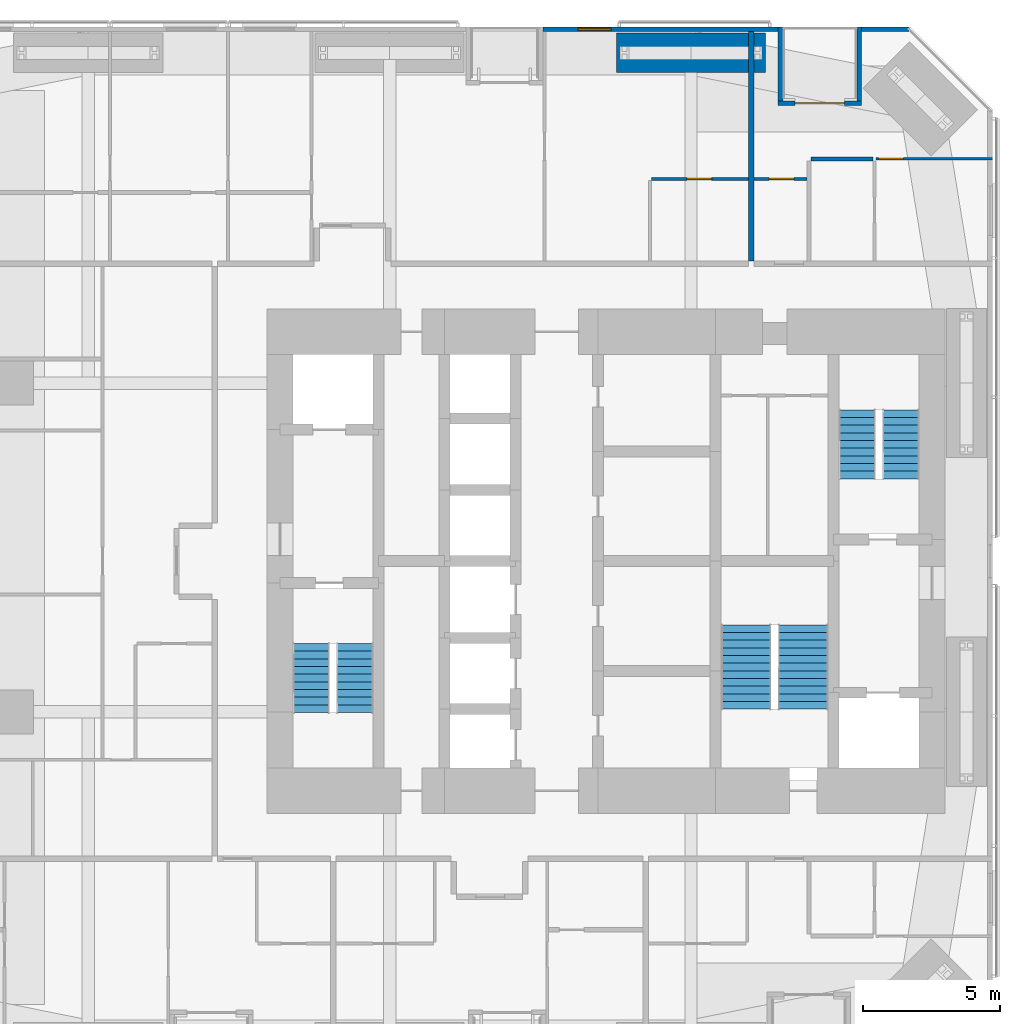
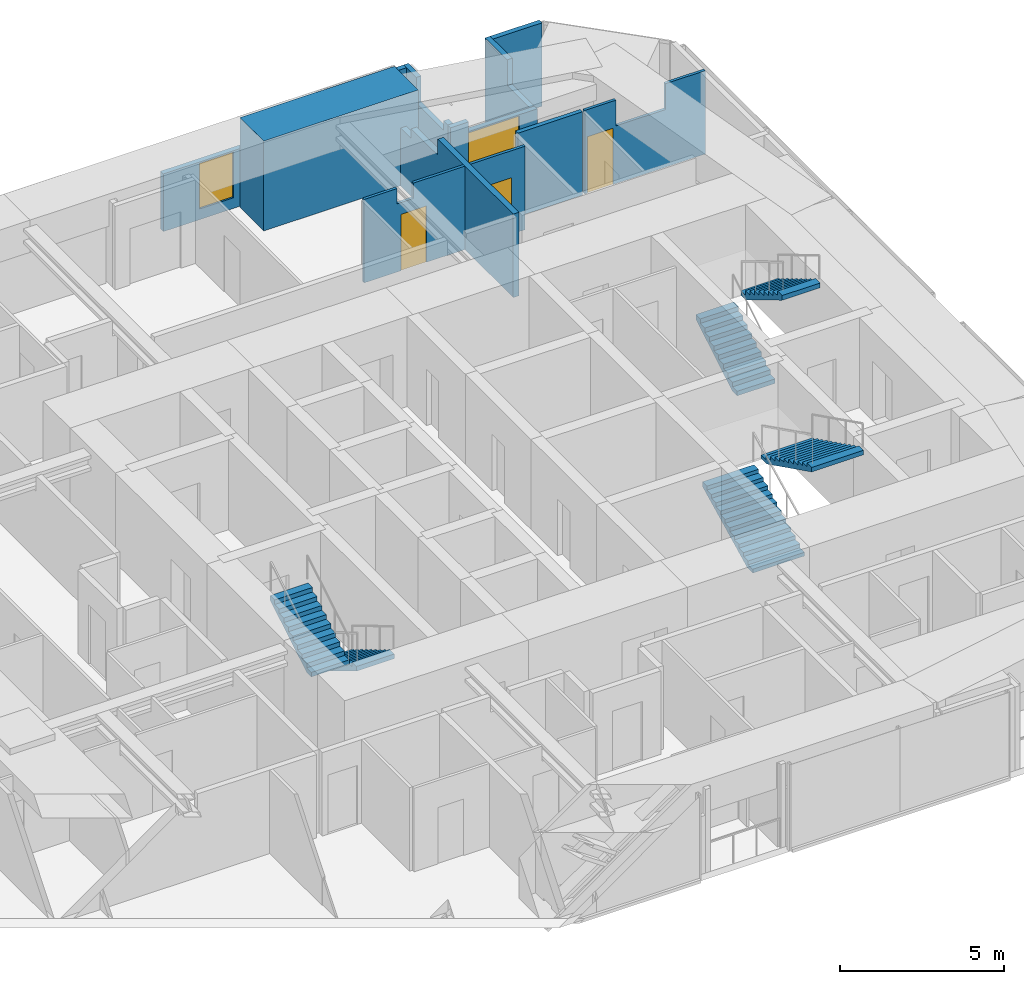
# One storey, part 22 of 23: 12 walls, 6 stair flights, 4 doors, 1 window, 5 openings, 3 elements without a shape of their own.
"""IFC4 building model written with IfcOpenShell, lengths in metres."""

from ifc_helpers import new_model, si_unit, direction, frame, frame_2d, origin, place, context, subcontext, project, spatial, polyline, rectangle, outline, extrude, material, layer, layer_set, constituent, constituent_set, type_object, element, fill, aggregate, save


model = new_model("IFC4")

# Units and contexts
model_context = context("Model", 3, precision=1e-05, world=origin(), true_north=direction((0.0, 1.0)))
body_context = subcontext(model_context, "Body", "Model", "MODEL_VIEW")
ifc_project = project(units=[si_unit("LENGTHUNIT", "METRE"), si_unit("AREAUNIT", "SQUARE_METRE"), si_unit("VOLUMEUNIT", "CUBIC_METRE"), si_unit("PLANEANGLEUNIT", "RADIAN"), si_unit("MASSUNIT", "GRAM", prefix="KILO")], contexts=[model_context])

# Site, building, storey
site_placement = place(None, origin())
site = spatial("IfcSite", under=ifc_project, at=site_placement, CompositionType="ELEMENT")
building_placement = place(site_placement, origin())
building = spatial("IfcBuilding", under=site, at=building_placement, Name="Jalousie Tower", CompositionType="ELEMENT")
storey_placement = place(building_placement, frame((0.0, 0.0, 24.35009765625)))
storey = spatial("IfcBuildingStorey", under=building, at=storey_placement, Name="L05", CompositionType="ELEMENT", Elevation=24.35009765625)

# Walls
ifc_material_1 = material(Name="Concrete block ASTM C90", Category="concrete")
ifc_constituent_1 = constituent(ifc_material_1, Name="Body")
ifc_material_2 = material(Name="Render")
ifc_constituent_2 = constituent(ifc_material_2, Name="Finish")
ifc_constituent_set_1 = constituent_set(constituents=[ifc_constituent_1, ifc_constituent_2])
wall_type_1 = type_object("IfcWallType", Name="BATHROOM WALL 150", PredefinedType="PLUMBINGWALL", material=ifc_constituent_set_1)
wall_1_placement = place(storey_placement, frame((39.375, 33.1826171875, 0.0), z_axis=(0.0, 0.0, 1.0), x_axis=(1.0, 0.0, 0.0)))
element("IfcWall", 1, at=wall_1_placement, inside=storey, type_object=wall_type_1, Name="Bathroom Wall 150 L05", PredefinedType="PLUMBINGWALL", context=body_context, shape_type="SweptSolid", body=[
    extrude(rectangle(XDim=2.27490234375, YDim=0.14990234375, at=frame_2d((1.137451171875, 0.0))), origin(), (0.0, 0.0, 1.0), 3.10986328125),
])
ifc_material_3 = material(Name="Concrete f'c 40 MPa", Category="concrete")
ifc_constituent_3 = constituent(ifc_material_3, Name="Body")
ifc_material_4 = material(Name="Render, pastel coral")
ifc_constituent_4 = constituent(ifc_material_4, Name="Finish")
ifc_constituent_set_2 = constituent_set(constituents=[ifc_constituent_3, ifc_constituent_4])
wall_type_2 = type_object("IfcWallType", Name="EXTERNAL WALL 175 CORAL RENDER", PredefinedType="SOLIDWALL", material=ifc_constituent_set_2)
wall_2_placement = place(storey_placement, frame((42.94873046875, 37.91259765625, 0.0), z_axis=(0.0, 0.0, 1.0), x_axis=(-1.0, 0.0, 0.0)))
element("IfcWall", 2, at=wall_2_placement, inside=storey, type_object=wall_type_2, Name="External Wall 175 Coral Render L05", PredefinedType="SOLIDWALL", context=body_context, shape_type="SweptSolid", body=[
    extrude(rectangle(XDim=1.72509765625, YDim=0.175048828125, at=frame_2d((0.862548828125, 0.0))), origin(), (0.0, 0.0, 1.0), 3.10986328125),
])

# Wall, opening, window
wall_3_placement = place(storey_placement, frame((38.173583984375, 37.91259765625, 0.0), z_axis=(0.0, 0.0, 1.0), x_axis=(-1.0, 0.0, 0.0)))
wall_3 = element("IfcWall", 3, at=wall_3_placement, inside=storey, type_object=wall_type_2, Name="External Wall 175 Coral Render L05", PredefinedType="SOLIDWALL", context=body_context, shape_type="SweptSolid", body=[
    extrude(outline(polyline([(0.0, 0.0), (8.5654296875, 0.0), (8.5654296875, 2.14990234375), (3.173583984375, 2.14990234375), (3.173583984375, 3.10986328125), (3.01806640625, 3.10986328125), (3.01806640625, 2.14990234375), (2.9697265625, 2.14990234375), (2.9697265625, 3.10986328125), (0.0, 3.10986328125), (0.0, 0.0)])), frame((0.0, 0.08740234375, 0.0), z_axis=(0.0, -1.0, 0.0), x_axis=(1.0, 0.0, 0.0)), (0.0, 0.0, 1.0), 0.175048828125),
])
opening_1_placement = place(wall_3_placement, frame((6.091796875, 0.0, 0.39990234375)))
opening_1 = element("IfcOpeningElement", 4, at=opening_1_placement, cuts=wall_3, Name="Opening W-COR170", PredefinedType="OPENING", context=body_context, shape_type="SweptSolid", body=[
    extrude(rectangle(XDim=1.199951171875, YDim=1.699951171875, at=frame_2d((0.60009765625, 0.85009765625))), frame((0.0, 0.097412109375, 0.0), z_axis=(0.0, -1.0, 0.0), x_axis=(1.0, 0.0, 0.0)), (0.0, 0.0, 1.0), 0.195068359375),
])
ifc_material_5 = material(Name="Aluminium frame, impact-rated glazing", Category="aluminium")
window_type = type_object("IfcWindowType", Name="WINDOW COR 1200x1700", PartitioningType="SINGLE_PANEL", PredefinedType="WINDOW", material=ifc_material_5)
window_placement = place(opening_1_placement, origin())
window = element("IfcWindow", 5, at=window_placement, inside=storey, type_object=window_type, Name="Apartment 0504 dining room window", OverallHeight=1.699951171875, OverallWidth=1.199951171875, PartitioningType="SINGLE_PANEL", PredefinedType="WINDOW", context=body_context, shape_type="SweptSolid", body=[
    extrude(rectangle(XDim=1.199951171875, YDim=1.699951171875, at=frame_2d((0.60009765625, 0.85009765625))), frame((0.0, 0.030029296875, 0.0), z_axis=(0.0, -1.0, 0.0), x_axis=(1.0, 0.0, 0.0)), (0.0, 0.0, 1.0), 0.06005859375),
])
fill(opening_1, window)

# Wall, opening, door
wall_4_placement = place(storey_placement, frame((41.2236328125, 35.21240234375, 0.0), z_axis=(0.0, 0.0, 1.0), x_axis=(-1.0, 0.0, 0.0)))
wall_4 = element("IfcWall", 6, at=wall_4_placement, inside=storey, type_object=wall_type_2, Name="External Wall 175 Coral Render L05-A", PredefinedType="SOLIDWALL", context=body_context, shape_type="SweptSolid", body=[
    extrude(rectangle(XDim=2.425048828125, YDim=0.175048828125, at=frame_2d((1.21240234375, 0.0))), origin(), (0.0, 0.0, 1.0), 2.14990234375),
])
opening_2_placement = place(wall_4_placement, frame((0.625, 0.0, 0.0)))
opening_2 = element("IfcOpeningElement", 7, at=opening_2_placement, cuts=wall_4, Name="Opening D-BAL21", PredefinedType="OPENING", context=body_context, shape_type="SweptSolid", body=[
    extrude(rectangle(XDim=1.800048828125, YDim=2.10009765625, at=frame_2d((0.89990234375, 1.050048828125))), frame((0.0, 0.097412109375, 0.0), z_axis=(0.0, -1.0, 0.0), x_axis=(1.0, 0.0, 0.0)), (0.0, 0.0, 1.0), 0.195068359375),
])
ifc_material_6 = material(Name="Aluminium frame, impact-rated glazing", Category="aluminium")
door_type_1 = type_object("IfcDoorType", Name="BALCONY DOOR 1800x2100", OperationType="SLIDING_TO_LEFT", PredefinedType="DOOR", material=ifc_material_6)
door_1_placement = place(opening_2_placement, origin())
door_1 = element("IfcDoor", 8, at=door_1_placement, inside=storey, type_object=door_type_1, Name="Apartment 0505 living and dining room loggia door", OperationType="SLIDING_TO_LEFT", OverallHeight=2.10009765625, OverallWidth=1.800048828125, PredefinedType="DOOR", context=body_context, shape_type="SweptSolid", body=[
    extrude(rectangle(XDim=1.800048828125, YDim=2.10009765625, at=frame_2d((0.89990234375, 1.050048828125))), frame((0.0, 0.02490234375, 0.0), z_axis=(0.0, -1.0, 0.0), x_axis=(1.0, 0.0, 0.0)), (0.0, 0.0, 1.0), 0.050048828125),
])
fill(opening_2, door_1)

# Walls
wall_5_placement = place(storey_placement, frame((38.798583984375, 35.21240234375, 0.0), z_axis=(0.0, 0.0, 1.0), x_axis=(-1.0, 0.0, 0.0)))
element("IfcWall", 9, at=wall_5_placement, inside=storey, type_object=wall_type_2, Name="External Wall 175 Coral Render L05-B", PredefinedType="SOLIDWALL", context=body_context, shape_type="SweptSolid", body=[
    extrude(rectangle(XDim=0.625, YDim=0.175048828125, at=frame_2d((0.3125, 0.0))), origin(), (0.0, 0.0, 1.0), 2.510009765625),
])
wall_6_placement = place(storey_placement, frame((41.13623046875, 38.0, 0.0), z_axis=(0.0, 0.0, 1.0), x_axis=(0.0, -1.0, 0.0)))
element("IfcWall", 10, at=wall_6_placement, inside=storey, type_object=wall_type_2, Name="External Wall 175 Coral Render L05", PredefinedType="SOLIDWALL", context=body_context, shape_type="SweptSolid", body=[
    extrude(outline(polyline([(0.0, 0.0), (2.699951171875, 0.0), (2.699951171875, 2.14990234375), (1.349365234375, 2.14990234375), (1.349365234375, 3.10986328125), (0.0, 3.10986328125), (0.0, 0.0)])), frame((0.0, 0.08740234375, 0.0), z_axis=(0.0, -1.0, 0.0), x_axis=(1.0, 0.0, 0.0)), (0.0, 0.0, 1.0), 0.175048828125),
])
wall_7_placement = place(storey_placement, frame((38.26123046875, 38.0, 0.0), z_axis=(0.0, 0.0, 1.0), x_axis=(0.0, -1.0, 0.0)))
element("IfcWall", 11, at=wall_7_placement, inside=storey, type_object=wall_type_2, Name="External Wall 175 Coral Render L05", PredefinedType="SOLIDWALL", context=body_context, shape_type="SweptSolid", body=[
    extrude(outline(polyline([(0.0, 0.0), (2.699951171875, 0.0), (2.699951171875, 2.510009765625), (2.438720703125, 2.510009765625), (2.438720703125, 2.14990234375), (0.771728515625, 2.14990234375), (0.771728515625, 3.10986328125), (0.0, 3.10986328125), (0.0, 0.0)])), frame((0.0, 0.08740234375, 0.0), z_axis=(0.0, -1.0, 0.0), x_axis=(1.0, 0.0, 0.0)), (0.0, 0.0, 1.0), 0.175048828125),
])

# Wall, opening, door
ifc_material_7 = material(Name="Gypsum board", Category="gypsum")
ifc_constituent_5 = constituent(ifc_material_7, Name="Body")
ifc_material_8 = material(Name="Light-gauge steel studs ASTM A653 SS Grade 33", Category="steel")
ifc_constituent_6 = constituent(ifc_material_8, Name="Framing")
ifc_constituent_set_3 = constituent_set(constituents=[ifc_constituent_5, ifc_constituent_6])
wall_type_3 = type_object("IfcWallType", Name="PARTITION 100", PredefinedType="PARTITIONING", material=ifc_constituent_set_3)
wall_8_placement = place(storey_placement, frame((33.550048828125, 32.449951171875, 0.0), z_axis=(0.0, 0.0, 1.0), x_axis=(1.0, 0.0, 0.0)))
wall_8 = element("IfcWall", 12, at=wall_8_placement, inside=storey, type_object=wall_type_3, Name="Partition 100 L05", PredefinedType="PARTITIONING", context=body_context, shape_type="SweptSolid", body=[
    extrude(outline(polyline([(0.0, 0.0), (3.550048828125, 0.0), (3.550048828125, 3.10986328125), (1.7373046875, 3.10986328125), (1.7373046875, 2.541015625), (1.16259765625, 2.541015625), (1.16259765625, 3.10986328125), (0.0, 3.10986328125), (0.0, 0.0)])), frame((0.0, 0.050048828125, 0.0), z_axis=(0.0, -1.0, 0.0), x_axis=(1.0, 0.0, 0.0)), (0.0, 0.0, 1.0), 0.10009765625),
])
opening_3_placement = place(wall_8_placement, frame((1.300048828125, 0.0, 0.0)))
opening_3 = element("IfcOpeningElement", 13, at=opening_3_placement, cuts=wall_8, Name="Opening D7", PredefinedType="OPENING", context=body_context, shape_type="SweptSolid", body=[
    extrude(rectangle(XDim=0.89990234375, YDim=2.10009765625, at=frame_2d((0.449951171875, 1.050048828125))), frame((0.0, 0.06005859375, 0.0), z_axis=(0.0, -1.0, 0.0), x_axis=(1.0, 0.0, 0.0)), (0.0, 0.0, 1.0), 0.1201171875),
])
ifc_material_9 = material(Name="Timber door", Category="wood")
door_type_2 = type_object("IfcDoorType", Name="INTERNAL DOOR 900", OperationType="SINGLE_SWING_LEFT", PredefinedType="DOOR", material=ifc_material_9)
door_2_placement = place(opening_3_placement, origin())
door_2 = element("IfcDoor", 14, at=door_2_placement, inside=storey, type_object=door_type_2, Name="Apartment 0504 kitchen door", OperationType="SINGLE_SWING_RIGHT", OverallHeight=2.10009765625, OverallWidth=0.89990234375, PredefinedType="DOOR", context=body_context, shape_type="SweptSolid", body=[
    extrude(rectangle(XDim=0.89990234375, YDim=2.10009765625, at=frame_2d((0.449951171875, 1.050048828125))), frame((0.0, 0.02490234375, 0.0), z_axis=(0.0, -1.0, 0.0), x_axis=(1.0, 0.0, 0.0)), (0.0, 0.0, 1.0), 0.050048828125),
])
fill(opening_3, door_2)

wall_9_placement = place(storey_placement, frame((41.75, 33.1826171875, 0.0), z_axis=(0.0, 0.0, 1.0), x_axis=(1.0, 0.0, 0.0)))
wall_9 = element("IfcWall", 15, at=wall_9_placement, inside=storey, type_object=wall_type_3, Name="Partition 100 L05", PredefinedType="PARTITIONING", context=body_context, shape_type="SweptSolid", body=[
    extrude(outline(polyline([(0.0, 0.0), (4.25, 0.0), (4.25, 3.10986328125), (2.84423828125, 3.10986328125), (2.84423828125, 2.14990234375), (1.101806640625, 2.14990234375), (1.101806640625, 3.10986328125), (0.0, 3.10986328125), (0.0, 0.0)])), frame((0.0, 0.050048828125, 0.0), z_axis=(0.0, -1.0, 0.0), x_axis=(1.0, 0.0, 0.0)), (0.0, 0.0, 1.0), 0.10009765625),
])
opening_4_placement = place(wall_9_placement, frame((0.10009765625, 0.0, 0.0)))
opening_4 = element("IfcOpeningElement", 16, at=opening_4_placement, cuts=wall_9, Name="Opening D2", PredefinedType="OPENING", context=body_context, shape_type="SweptSolid", body=[
    extrude(rectangle(XDim=0.89990234375, YDim=2.10009765625, at=frame_2d((0.449951171875, 1.050048828125))), frame((0.0, 0.06005859375, 0.0), z_axis=(0.0, -1.0, 0.0), x_axis=(1.0, 0.0, 0.0)), (0.0, 0.0, 1.0), 0.1201171875),
])
ifc_material_10 = material(Name="Timber door", Category="wood")
door_type_3 = type_object("IfcDoorType", Name="BEDROOM DOOR 900", OperationType="SINGLE_SWING_LEFT", PredefinedType="DOOR", material=ifc_material_10)
door_3_placement = place(opening_4_placement, frame((0.89990234375, 0.0, 0.0), z_axis=(0.0, 0.0, 1.0), x_axis=(-1.0, 0.0, 0.0)))
door_3 = element("IfcDoor", 17, at=door_3_placement, inside=storey, type_object=door_type_3, Name="Apartment 0505 bedroom 1 door", OperationType="SINGLE_SWING_RIGHT", OverallHeight=2.10009765625, OverallWidth=0.89990234375, PredefinedType="DOOR", context=body_context, shape_type="SweptSolid", body=[
    extrude(rectangle(XDim=0.89990234375, YDim=2.10009765625, at=frame_2d((0.449951171875, 1.050048828125))), frame((0.0, 0.02490234375, 0.0), z_axis=(0.0, -1.0, 0.0), x_axis=(1.0, 0.0, 0.0)), (0.0, 0.0, 1.0), 0.050048828125),
])
fill(opening_4, door_3)

wall_10_placement = place(storey_placement, frame((37.300048828125, 32.449951171875, 0.0), z_axis=(0.0, 0.0, 1.0), x_axis=(1.0, 0.0, 0.0)))
wall_10 = element("IfcWall", 18, at=wall_10_placement, inside=storey, type_object=wall_type_3, Name="Partition 100 L05", PredefinedType="PARTITIONING", context=body_context, shape_type="SweptSolid", body=[
    extrude(rectangle(XDim=1.925048828125, YDim=0.10009765625, at=frame_2d((0.96240234375, 0.0))), origin(), (0.0, 0.0, 1.0), 3.10986328125),
])
opening_5_placement = place(wall_10_placement, frame((0.550048828125, 0.0, 0.0)))
opening_5 = element("IfcOpeningElement", 19, at=opening_5_placement, cuts=wall_10, Name="Opening D7", PredefinedType="OPENING", context=body_context, shape_type="SweptSolid", body=[
    extrude(rectangle(XDim=0.89990234375, YDim=2.10009765625, at=frame_2d((0.449951171875, 1.050048828125))), frame((0.0, 0.06005859375, 0.0), z_axis=(0.0, -1.0, 0.0), x_axis=(1.0, 0.0, 0.0)), (0.0, 0.0, 1.0), 0.1201171875),
])
door_4_placement = place(opening_5_placement, frame((0.89990234375, 0.0, 0.0), z_axis=(0.0, 0.0, 1.0), x_axis=(-1.0, 0.0, 0.0)))
door_4 = element("IfcDoor", 20, at=door_4_placement, inside=storey, type_object=door_type_2, Name="Apartment 0505 kitchen door", OperationType="SINGLE_SWING_LEFT", OverallHeight=2.10009765625, OverallWidth=0.89990234375, PredefinedType="DOOR", context=body_context, shape_type="SweptSolid", body=[
    extrude(rectangle(XDim=0.89990234375, YDim=2.10009765625, at=frame_2d((0.449951171875, 1.050048828125))), frame((0.0, 0.02490234375, 0.0), z_axis=(0.0, -1.0, 0.0), x_axis=(1.0, 0.0, 0.0)), (0.0, 0.0, 1.0), 0.050048828125),
])
fill(opening_5, door_4)

# Walls
ifc_material_11 = material(Name="Concrete block ASTM C90", Category="concrete")
ifc_constituent_7 = constituent(ifc_material_11, Name="Body")
ifc_material_12 = material(Name="Render")
ifc_constituent_8 = constituent(ifc_material_12, Name="Finish")
ifc_constituent_set_4 = constituent_set(constituents=[ifc_constituent_7, ifc_constituent_8])
wall_type_4 = type_object("IfcWallType", Name="PARTY WALL 200", PredefinedType="PARTITIONING", material=ifc_constituent_set_4)
wall_11_placement = place(storey_placement, frame((37.199951171875, 37.824951171875, 0.0), z_axis=(0.0, 0.0, 1.0), x_axis=(0.0, -1.0, 0.0)))
element("IfcWall", 21, at=wall_11_placement, inside=storey, type_object=wall_type_4, Name="Party Wall 200 L05", PredefinedType="PARTITIONING", context=body_context, shape_type="SweptSolid", body=[
    extrude(outline(polyline([(0.0, 0.0), (8.375, 0.0), (8.375, 3.10986328125), (3.766357421875, 3.10986328125), (3.766357421875, 2.510009765625), (2.145263671875, 2.510009765625), (2.145263671875, 2.14990234375), (0.288818359375, 2.14990234375), (0.288818359375, 3.10986328125), (0.0, 3.10986328125), (0.0, 0.0)])), frame((0.0, 0.10009765625, 0.0), z_axis=(0.0, -1.0, 0.0), x_axis=(1.0, 0.0, 0.0)), (0.0, 0.0, 1.0), 0.199951171875),
])
ifc_material_13 = material(Name="Concrete f'c 120 MPa", Category="concrete")
ifc_layer = layer(ifc_material_13, 1.449951171875)
ifc_layer_set = layer_set([ifc_layer], Name="Concrete f'c 120 MPa")
wall_type_5 = type_object("IfcWallType", Name="RC WALL PIER 1450", PredefinedType="SHEAR", material=ifc_layer_set)
wall_12_placement = place(storey_placement, frame((32.27490234375, 37.050048828125, 0.0), z_axis=(0.0, 0.0, 1.0), x_axis=(1.0, 0.0, 0.0)))
element("IfcWall", 22, at=wall_12_placement, inside=storey, type_object=wall_type_5, Name="Wall pier 09 L05", PredefinedType="SHEAR", context=body_context, shape_type="SweptSolid", body=[
    extrude(rectangle(XDim=5.4501953125, YDim=1.449951171875, at=frame_2d((2.72509765625, 0.0))), origin(), (0.0, 0.0, 1.0), 3.349853515625),
])

# Stair, stair flights
ifc_material_14 = material(Name="Concrete f'c 40 MPa", Category="concrete")
stair_type = type_object("IfcStairType", Name="EXIT STAIR", PredefinedType="HALF_TURN_STAIR", material=ifc_material_14)
stair_1_placement = place(storey_placement, origin())
stair_1 = element("IfcStair", 23, at=stair_1_placement, inside=storey, type_object=stair_type, Name="Exit stair A L05", PredefinedType="HALF_TURN_STAIR")
ifc_material_15 = material(Name="Concrete f'c 40 MPa", Category="concrete")
stair_flight_type = type_object("IfcStairFlightType", Name="STAIR FLIGHT", PredefinedType="STRAIGHT", material=ifc_material_15)
stair_flight_1_placement = place(storey_placement, frame((22.731201171875, 15.49755859375, 0.0), z_axis=(0.0, 0.0, 1.0), x_axis=(0.0, -1.0, 0.0)))
stair_flight_1 = element("IfcStairFlight", 24, at=stair_flight_1_placement, type_object=stair_flight_type, Name="ST-A flight 1", NumberOfRisers=10, NumberOfTreads=9, PredefinedType="STRAIGHT", RiserHeight=0.1675, TreadLength=0.28, context=body_context, shape_type="SweptSolid", body=[
    extrude(outline(polyline([(0.0, 0.0), (0.0, 0.16748046875), (0.280029296875, 0.16748046875), (0.280029296875, 0.3349609375), (0.56005859375, 0.3349609375), (0.56005859375, 0.50244140625), (0.840087890625, 0.50244140625), (0.840087890625, 0.669921875), (1.1201171875, 0.669921875), (1.1201171875, 0.83740234375), (1.39990234375, 0.83740234375), (1.39990234375, 1.0048828125), (1.679931640625, 1.0048828125), (1.679931640625, 1.172607421875), (1.9599609375, 1.172607421875), (1.9599609375, 1.340087890625), (2.239990234375, 1.340087890625), (2.239990234375, 1.507568359375), (2.52001953125, 1.507568359375), (2.52001953125, 1.675048828125), (2.52001953125, 1.332763671875), (0.2919921875, 0.0), (0.0, 0.0)])), frame((0.0, 0.668701171875, 0.0), z_axis=(0.0, -1.0, 0.0), x_axis=(1.0, 0.0, 0.0)), (0.0, 0.0, 1.0), 1.33740234375),
])
stair_flight_2_placement = place(storey_placement, frame((21.143798828125, 12.9775390625, 1.6748046875), z_axis=(0.0, 0.0, 1.0), x_axis=(0.0, 1.0, 0.0)))
stair_flight_2 = element("IfcStairFlight", 25, at=stair_flight_2_placement, type_object=stair_flight_type, Name="ST-A flight 2", NumberOfRisers=10, NumberOfTreads=9, PredefinedType="STRAIGHT", RiserHeight=0.1675, TreadLength=0.28, context=body_context, shape_type="SweptSolid", body=[
    extrude(outline(polyline([(0.0, 0.0), (0.0, 0.16748046875), (0.280029296875, 0.16748046875), (0.280029296875, 0.3349609375), (0.56005859375, 0.3349609375), (0.56005859375, 0.50244140625), (0.840087890625, 0.50244140625), (0.840087890625, 0.669921875), (1.1201171875, 0.669921875), (1.1201171875, 0.83740234375), (1.39990234375, 0.83740234375), (1.39990234375, 1.0048828125), (1.679931640625, 1.0048828125), (1.679931640625, 1.172607421875), (1.9599609375, 1.172607421875), (1.9599609375, 1.340087890625), (2.239990234375, 1.340087890625), (2.239990234375, 1.507568359375), (2.52001953125, 1.507568359375), (2.52001953125, 1.675048828125), (2.52001953125, 1.332763671875), (0.2919921875, 0.0), (0.0, 0.0)])), frame((0.0, 0.668701171875, 0.0), z_axis=(0.0, -1.0, 0.0), x_axis=(1.0, 0.0, 0.0)), (0.0, 0.0, 1.0), 1.33740234375),
])
aggregate(stair_1, [stair_flight_1, stair_flight_2])

stair_2_placement = place(storey_placement, origin())
stair_2 = element("IfcStair", 26, at=stair_2_placement, inside=storey, type_object=stair_type, Name="Exit stair B L05", PredefinedType="HALF_TURN_STAIR")
stair_flight_3_placement = place(storey_placement, frame((41.06884765625, 21.50244140625, 0.0), z_axis=(0.0, 0.0, 1.0), x_axis=(0.0, 1.0, 0.0)))
stair_flight_3 = element("IfcStairFlight", 27, at=stair_flight_3_placement, type_object=stair_flight_type, Name="ST-B flight 1", NumberOfRisers=10, NumberOfTreads=9, PredefinedType="STRAIGHT", RiserHeight=0.1675, TreadLength=0.28, context=body_context, shape_type="SweptSolid", body=[
    extrude(outline(polyline([(0.0, 0.0), (0.0, 0.16748046875), (0.280029296875, 0.16748046875), (0.280029296875, 0.3349609375), (0.56005859375, 0.3349609375), (0.56005859375, 0.50244140625), (0.840087890625, 0.50244140625), (0.840087890625, 0.669921875), (1.1201171875, 0.669921875), (1.1201171875, 0.83740234375), (1.39990234375, 0.83740234375), (1.39990234375, 1.0048828125), (1.679931640625, 1.0048828125), (1.679931640625, 1.172607421875), (1.9599609375, 1.172607421875), (1.9599609375, 1.340087890625), (2.239990234375, 1.340087890625), (2.239990234375, 1.507568359375), (2.52001953125, 1.507568359375), (2.52001953125, 1.675048828125), (2.52001953125, 1.332763671875), (0.2919921875, 0.0), (0.0, 0.0)])), frame((0.0, 0.668701171875, 0.0), z_axis=(0.0, -1.0, 0.0), x_axis=(1.0, 0.0, 0.0)), (0.0, 0.0, 1.0), 1.33740234375),
])
stair_flight_4_placement = place(storey_placement, frame((42.65625, 24.0224609375, 1.6748046875), z_axis=(0.0, 0.0, 1.0), x_axis=(0.0, -1.0, 0.0)))
stair_flight_4 = element("IfcStairFlight", 28, at=stair_flight_4_placement, type_object=stair_flight_type, Name="ST-B flight 2", NumberOfRisers=10, NumberOfTreads=9, PredefinedType="STRAIGHT", RiserHeight=0.1675, TreadLength=0.28, context=body_context, shape_type="SweptSolid", body=[
    extrude(outline(polyline([(0.0, 0.0), (0.0, 0.16748046875), (0.280029296875, 0.16748046875), (0.280029296875, 0.3349609375), (0.56005859375, 0.3349609375), (0.56005859375, 0.50244140625), (0.840087890625, 0.50244140625), (0.840087890625, 0.669921875), (1.1201171875, 0.669921875), (1.1201171875, 0.83740234375), (1.39990234375, 0.83740234375), (1.39990234375, 1.0048828125), (1.679931640625, 1.0048828125), (1.679931640625, 1.172607421875), (1.9599609375, 1.172607421875), (1.9599609375, 1.340087890625), (2.239990234375, 1.340087890625), (2.239990234375, 1.507568359375), (2.52001953125, 1.507568359375), (2.52001953125, 1.675048828125), (2.52001953125, 1.332763671875), (0.2919921875, 0.0), (0.0, 0.0)])), frame((0.0, 0.668701171875, 0.0), z_axis=(0.0, -1.0, 0.0), x_axis=(1.0, 0.0, 0.0)), (0.0, 0.0, 1.0), 1.33740234375),
])
aggregate(stair_2, [stair_flight_3, stair_flight_4])

stair_3_placement = place(storey_placement, origin())
stair_3 = element("IfcStair", 29, at=stair_3_placement, inside=storey, type_object=stair_type, Name="Exit stair C L05", PredefinedType="HALF_TURN_STAIR")
stair_flight_5_placement = place(storey_placement, frame((37.012451171875, 13.097412109375, 0.0), z_axis=(0.0, 0.0, 1.0), x_axis=(0.0, 1.0, 0.0)))
stair_flight_5 = element("IfcStairFlight", 30, at=stair_flight_5_placement, type_object=stair_flight_type, Name="ST-C flight 1", NumberOfRisers=12, NumberOfTreads=11, PredefinedType="STRAIGHT", RiserHeight=0.139583333, TreadLength=0.28, context=body_context, shape_type="SweptSolid", body=[
    extrude(outline(polyline([(0.0, 0.0), (0.0, 0.1396484375), (0.280029296875, 0.1396484375), (0.280029296875, 0.279052734375), (0.56005859375, 0.279052734375), (0.56005859375, 0.418701171875), (0.840087890625, 0.418701171875), (0.840087890625, 0.558349609375), (1.1201171875, 0.558349609375), (1.1201171875, 0.697998046875), (1.39990234375, 0.697998046875), (1.39990234375, 0.83740234375), (1.679931640625, 0.83740234375), (1.679931640625, 0.97705078125), (1.9599609375, 0.97705078125), (1.9599609375, 1.11669921875), (2.239990234375, 1.11669921875), (2.239990234375, 1.25634765625), (2.52001953125, 1.25634765625), (2.52001953125, 1.395751953125), (2.800048828125, 1.395751953125), (2.800048828125, 1.535400390625), (3.080078125, 1.535400390625), (3.080078125, 1.675048828125), (3.080078125, 1.367919921875), (0.3359375, 0.0), (0.0, 0.0)])), frame((0.0, 0.91259765625, 0.0), z_axis=(0.0, -1.0, 0.0), x_axis=(1.0, 0.0, 0.0)), (0.0, 0.0, 1.0), 1.824951171875),
])
stair_flight_6_placement = place(storey_placement, frame((39.08740234375, 16.177490234375, 1.6748046875), z_axis=(0.0, 0.0, 1.0), x_axis=(0.0, -1.0, 0.0)))
stair_flight_6 = element("IfcStairFlight", 31, at=stair_flight_6_placement, type_object=stair_flight_type, Name="ST-C flight 2", NumberOfRisers=12, NumberOfTreads=11, PredefinedType="STRAIGHT", RiserHeight=0.139583333, TreadLength=0.28, context=body_context, shape_type="SweptSolid", body=[
    extrude(outline(polyline([(0.0, 0.0), (0.0, 0.1396484375), (0.280029296875, 0.1396484375), (0.280029296875, 0.279052734375), (0.56005859375, 0.279052734375), (0.56005859375, 0.418701171875), (0.840087890625, 0.418701171875), (0.840087890625, 0.558349609375), (1.1201171875, 0.558349609375), (1.1201171875, 0.697998046875), (1.39990234375, 0.697998046875), (1.39990234375, 0.83740234375), (1.679931640625, 0.83740234375), (1.679931640625, 0.97705078125), (1.9599609375, 0.97705078125), (1.9599609375, 1.11669921875), (2.239990234375, 1.11669921875), (2.239990234375, 1.25634765625), (2.52001953125, 1.25634765625), (2.52001953125, 1.395751953125), (2.800048828125, 1.395751953125), (2.800048828125, 1.535400390625), (3.080078125, 1.535400390625), (3.080078125, 1.675048828125), (3.080078125, 1.367919921875), (0.3359375, 0.0), (0.0, 0.0)])), frame((0.0, 0.91259765625, 0.0), z_axis=(0.0, -1.0, 0.0), x_axis=(1.0, 0.0, 0.0)), (0.0, 0.0, 1.0), 1.824951171875),
])
aggregate(stair_3, [stair_flight_5, stair_flight_6])

save(model, "model.ifc")
